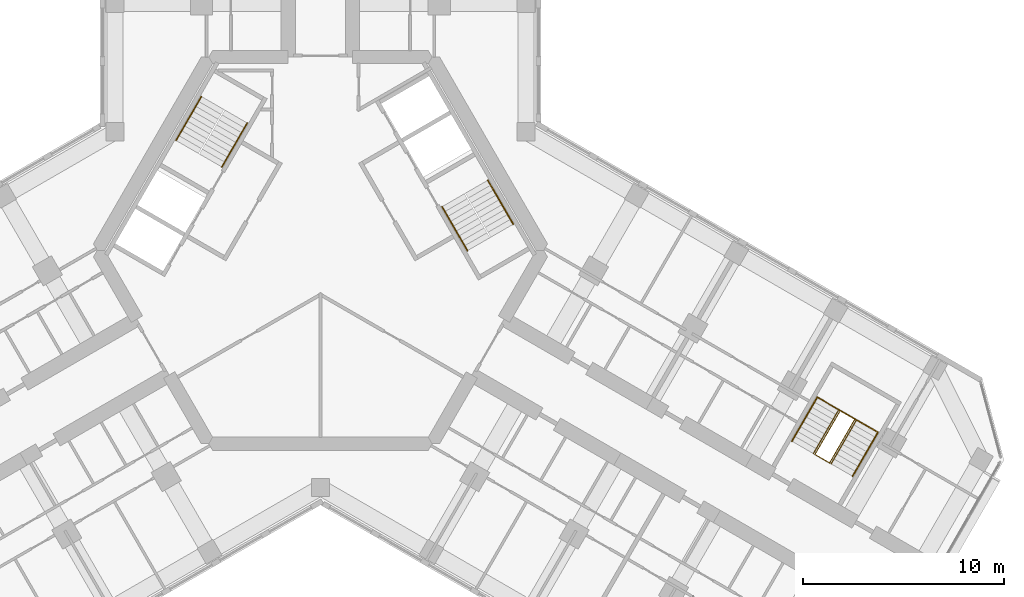
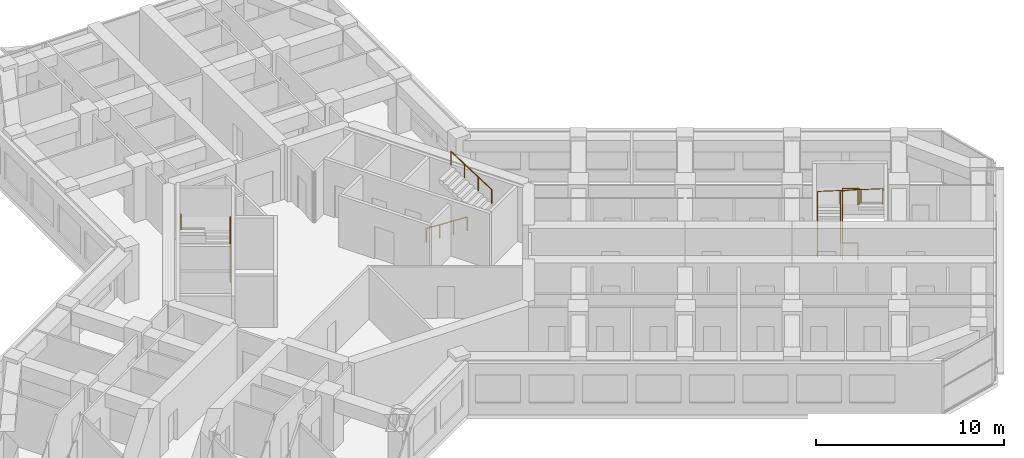
# One storey, part 16 of 16: 7 railings.
"""IFC4 building model written with IfcOpenShell, lengths in metres."""

import ifcopenshell
import ifcopenshell.guid

model = None  # the IFC model being written
_history = None  # IfcOwnerHistory: only IFC2X3 demands one
_inside = {}  # id of a spatial element -> (the spatial element, [elements in it])
_under = {}  # id of a project, library or spatial element -> (it, [spatial elements below it])
_declared = {}  # id of a project -> (the project, [libraries it declares])
_typed = {}  # id of a type object -> (the type object, [elements of that type])
_made_of = {}  # id of a material, layer set ... -> (it, [elements and type objects made of it])


def new_model(schema):
    """Start an empty IFC model of exactly this schema.

    Asked for "IFC4X3", IfcOpenShell would pick the latest addendum, in which some entities
    have other attributes; the version numbers below select the first issue.
    IFC2X3 requires an IfcOwnerHistory on every rooted entity: one is made here for all.
    """
    global model, _history
    if schema == "IFC4X3":
        model = ifcopenshell.file(schema_version=(4, 3, 0, 0))
    else:
        model = ifcopenshell.file(schema=schema)
    _inside.clear()
    _under.clear()
    _declared.clear()
    _typed.clear()
    _made_of.clear()
    _history = None
    if model.schema == "IFC2X3":
        org = make("IfcOrganization", Name="unknown")
        user = make(
            "IfcPersonAndOrganization",
            ThePerson=make("IfcPerson", FamilyName="unknown"),
            TheOrganization=org,
        )
        app = make(
            "IfcApplication",
            ApplicationDeveloper=org,
            Version="unknown",
            ApplicationFullName="unknown",
            ApplicationIdentifier="unknown",
        )
        _history = make(
            "IfcOwnerHistory",
            OwningUser=user,
            OwningApplication=app,
            ChangeAction="ADDED",
            CreationDate=0,
        )
    return model


def make(cls, **values):
    """One entity of the class cls with the attributes given. An attribute that is None is left unset."""
    return model.create_entity(
        cls, **{name: value for name, value in values.items() if value is not None}
    )


def rooted(cls, **values):
    """An entity with a GlobalId (a new one), such as an element, a storey or a relation."""
    return make(cls, GlobalId=ifcopenshell.guid.new(), OwnerHistory=_history, **values)


def si_unit(unit_type, name, prefix=None):
    """IfcSIUnit, for example si_unit("LENGTHUNIT", "METRE", prefix="MILLI")."""
    return make("IfcSIUnit", UnitType=unit_type, Prefix=prefix, Name=name)


def assignment(units):
    """IfcUnitAssignment: the units of a project."""
    return None if units is None else make("IfcUnitAssignment", Units=units)


def point(xyz):
    """IfcCartesianPoint."""
    return None if xyz is None else make("IfcCartesianPoint", Coordinates=xyz)


def direction(xyz):
    """IfcDirection."""
    return None if xyz is None else make("IfcDirection", DirectionRatios=xyz)


def frame(location, z_axis=None, x_axis=None):
    """IfcAxis2Placement3D, a coordinate frame: its origin and axes. An axis left out is left unset."""
    return make(
        "IfcAxis2Placement3D",
        Location=point(location),
        Axis=direction(z_axis),
        RefDirection=direction(x_axis),
    )


def frame_2d(location, x_axis=None):
    """IfcAxis2Placement2D, a coordinate frame in the plane: its origin and x axis."""
    return make(
        "IfcAxis2Placement2D", Location=point(location), RefDirection=direction(x_axis)
    )


def origin():
    """The frame at (0, 0, 0) with its axes left unset."""
    return frame((0.0, 0.0, 0.0))


def origin_2d():
    """The frame at (0, 0) in the plane with its x axis left unset."""
    return frame_2d((0.0, 0.0))


def place(relative_to, where):
    """IfcLocalPlacement: puts the frame where relative to a parent placement (None: the world)."""
    return make(
        "IfcLocalPlacement", PlacementRelTo=relative_to, RelativePlacement=where
    )


def context(
    kind, dimensions, precision=None, world=None, true_north=None, identifier=None
):
    """IfcGeometricRepresentationContext, for example the 3D "Model" context."""
    return make(
        "IfcGeometricRepresentationContext",
        ContextIdentifier=identifier,
        ContextType=kind,
        CoordinateSpaceDimension=dimensions,
        Precision=precision,
        WorldCoordinateSystem=world,
        TrueNorth=true_north,
    )


def subcontext(parent, identifier, kind, view, scale=None):
    """IfcGeometricRepresentationSubContext, for example "Body" below "Model"."""
    return make(
        "IfcGeometricRepresentationSubContext",
        ContextIdentifier=identifier,
        ContextType=kind,
        ParentContext=parent,
        TargetScale=scale,
        TargetView=view,
    )


def project(units=None, contexts=None):
    """IfcProject with its units and contexts."""
    return rooted(
        "IfcProject",
        Name="project",
        RepresentationContexts=contexts,
        UnitsInContext=assignment(units),
    )


def spatial(cls, under=None, at=None, **own):
    """A site, building, storey or space (cls), placed at a placement, below another one or the project."""
    s = rooted(cls, ObjectPlacement=at, **own)
    if under is not None:
        _under.setdefault(under.id(), (under, []))[1].append(s)
    return s


def profile(cls, at=None, kind="AREA", **sizes):
    """A parametric profile (cls). Its sizes go by their IFC names, for example OverallWidth=200.0."""
    return make(cls, ProfileType=kind, Position=at, **sizes)


def circle(**sizes):
    """IfcCircleProfileDef."""
    return profile("IfcCircleProfileDef", **sizes)


def extrude(swept, where, along, depth):
    """IfcExtrudedAreaSolid: the profile swept, set in the frame where, extruded along a direction by depth."""
    return make(
        "IfcExtrudedAreaSolid",
        SweptArea=swept,
        Position=where,
        ExtrudedDirection=direction(along),
        Depth=depth,
    )


def shape(context_of_items, identifier, shape_type, items):
    """IfcShapeRepresentation: the items that make up one representation, for example the "Body"."""
    return make(
        "IfcShapeRepresentation",
        ContextOfItems=context_of_items,
        RepresentationIdentifier=identifier,
        RepresentationType=shape_type,
        Items=items,
    )


def material(Name=None, Category=None):
    """IfcMaterial."""
    return make("IfcMaterial", Name=Name, Category=Category)


def made_of(thing, what):
    """Note that an element or type object is made of a material, layer set ...; save() writes the relation."""
    if what is not None:
        _made_of.setdefault(what.id(), (what, []))[1].append(thing)
    return thing


def type_object(cls, material=None, **own):
    """A type object (cls), such as IfcWallType, which elements share."""
    return made_of(rooted(cls, **own), material)


def element(
    cls,
    number,
    at=None,
    inside=None,
    cuts=None,
    type_object=None,
    material=None,
    context=None,
    identifier="Body",
    shape_type=None,
    held_by="IfcProductDefinitionShape",
    body=None,
    shapes=None,
    **own,
):
    """One element of the class cls, such as IfcWall. Its Tag is "e" and its number.

    at: its placement. inside: the storey or other place that contains it. cuts: it is an
    opening in that element (IfcRelVoidsElement). A single representation is given by context,
    identifier, shape_type and body (its items); several are given by shapes. held_by: the class
    of the entity that holds the representations. save() writes the other relations.
    """
    e = rooted(cls, Tag="e%d" % number, ObjectPlacement=at, **own)
    if body is not None:
        shapes = [shape(context, identifier, shape_type, body)]
    if shapes is not None:
        e.Representation = make(held_by, Representations=shapes)
    if inside is not None:
        _inside.setdefault(inside.id(), (inside, []))[1].append(e)
    if cuts is not None:
        rooted(
            "IfcRelVoidsElement", RelatingBuildingElement=cuts, RelatedOpeningElement=e
        )
    if type_object is not None:
        _typed.setdefault(type_object.id(), (type_object, []))[1].append(e)
    return made_of(e, material)


def aggregate(whole, parts):
    """IfcRelAggregates: a whole, such as a stair, and the parts it consists of."""
    return rooted("IfcRelAggregates", RelatingObject=whole, RelatedObjects=parts)


def save(model, path):
    """Write the relations noted so far, then the file.

    IfcRelAggregates (storeys below a building ...), IfcRelContainedInSpatialStructure (elements
    in a storey), IfcRelDefinesByType, IfcRelAssociatesMaterial and IfcRelDeclares: one each for
    every whole, place, type object, material and project.
    """
    for whole, parts in _under.values():
        aggregate(whole, parts)
    for where, things in _inside.values():
        rooted(
            "IfcRelContainedInSpatialStructure",
            RelatedElements=things,
            RelatingStructure=where,
        )
    for kind, things in _typed.values():
        rooted("IfcRelDefinesByType", RelatedObjects=things, RelatingType=kind)
    for what, things in _made_of.values():
        rooted("IfcRelAssociatesMaterial", RelatedObjects=things, RelatingMaterial=what)
    for by, libraries in _declared.values():
        rooted("IfcRelDeclares", RelatingContext=by, RelatedDefinitions=libraries)
    model.write(path)


model = new_model("IFC4")

# Units and contexts
model_context = context("Model", 3, precision=1e-05, world=origin(), true_north=direction((0.0, 1.0)))
body_context = subcontext(model_context, "Body", "Model", "MODEL_VIEW")
ifc_project = project(units=[si_unit("LENGTHUNIT", "METRE"), si_unit("AREAUNIT", "SQUARE_METRE"), si_unit("VOLUMEUNIT", "CUBIC_METRE"), si_unit("PLANEANGLEUNIT", "RADIAN"), si_unit("MASSUNIT", "GRAM", prefix="KILO")], contexts=[model_context])

# Site, building, storey
site_placement = place(None, origin())
site = spatial("IfcSite", under=ifc_project, at=site_placement, CompositionType="ELEMENT")
building_placement = place(site_placement, origin())
building = spatial("IfcBuilding", under=site, at=building_placement, Name="Kosmar Iwan School Tower", CompositionType="ELEMENT")
storey_placement = place(building_placement, frame((0.0, 0.0, 208.199951171875)))
storey = spatial("IfcBuildingStorey", under=building, at=storey_placement, Name="L52", CompositionType="ELEMENT", Elevation=208.199951171875)

# Railings
ifc_material_1 = material(Name="Black steel", Category="steel")
railing_type_1 = type_object("IfcRailingType", Name="Stair handrail 900", PredefinedType="HANDRAIL", material=ifc_material_1)
railing_1_placement = place(storey_placement, frame((-4.89453125, 4.142333984375, 0.179931640625)))
element("IfcRailing", 1, at=railing_1_placement, inside=storey, type_object=railing_type_1, Name="Handrail ST2 flight 1", PredefinedType="HANDRAIL", context=body_context, shape_type="SweptSolid", body=[
    extrude(circle(Radius=0.02392578125, at=origin_2d()), frame((0.0, 0.0, 0.8759765625), z_axis=(0.420584145978, 0.728463801763, 0.540785970299), x_axis=(-0.866022637375, 0.500004791531, 0.0)), (0.0, 0.0, 1.0), 2.995849609375),
    extrude(circle(Radius=0.02099609375, at=origin_2d()), origin(), (0.0, 0.0, 1.0), 0.851806640625),
    extrude(circle(Radius=0.02099609375, at=origin_2d()), frame((0.419921875, 0.7275390625, 0.5400390625)), (0.0, 0.0, 1.0), 0.851806640625),
    extrude(circle(Radius=0.02099609375, at=origin_2d()), frame((0.840087890625, 1.454833984375, 1.080078125)), (0.0, 0.0, 1.0), 0.851806640625),
    extrude(circle(Radius=0.02099609375, at=origin_2d()), frame((1.260009765625, 2.182373046875, 1.6201171875)), (0.0, 0.0, 1.0), 0.851806640625),
])
railing_2_placement = place(storey_placement, frame((-5.912353515625, 7.6396484375, 1.97998046875)))
element("IfcRailing", 2, at=railing_2_placement, inside=storey, type_object=railing_type_1, Name="Handrail ST2 flight 2", PredefinedType="HANDRAIL", context=body_context, shape_type="SweptSolid", body=[
    extrude(circle(Radius=0.02392578125, at=origin_2d()), frame((0.0, 0.0, 0.8759765625), z_axis=(-0.420584145978, -0.728463801763, 0.540785970299), x_axis=(0.866022637375, -0.500004791531, 0.0)), (0.0, 0.0, 1.0), 2.995849609375),
    extrude(circle(Radius=0.02099609375, at=origin_2d()), origin(), (0.0, 0.0, 1.0), 0.851806640625),
    extrude(circle(Radius=0.02099609375, at=origin_2d()), frame((-0.419921875, -0.7275390625, 0.5400390625)), (0.0, 0.0, 1.0), 0.851806640625),
    extrude(circle(Radius=0.02099609375, at=origin_2d()), frame((-0.840087890625, -1.454833984375, 1.080078125)), (0.0, 0.0, 1.0), 0.851806640625),
    extrude(circle(Radius=0.02099609375, at=origin_2d()), frame((-1.260009765625, -2.182373046875, 1.6201171875)), (0.0, 0.0, 1.0), 0.851806640625),
])
railing_3_placement = place(storey_placement, frame((6.03466796875, 2.167724609375, 0.179931640625)))
element("IfcRailing", 3, at=railing_3_placement, inside=storey, type_object=railing_type_1, Name="Handrail ST1 flight 1", PredefinedType="HANDRAIL", context=body_context, shape_type="SweptSolid", body=[
    extrude(circle(Radius=0.02392578125, at=origin_2d()), frame((0.0, 0.0, 0.8759765625), z_axis=(0.420584145978, -0.728463801763, 0.540785970299), x_axis=(0.866022637375, 0.500004791531, 0.0)), (0.0, 0.0, 1.0), 2.995849609375),
    extrude(circle(Radius=0.02099609375, at=origin_2d()), origin(), (0.0, 0.0, 1.0), 0.851806640625),
    extrude(circle(Radius=0.02099609375, at=origin_2d()), frame((0.419921875, -0.7275390625, 0.5400390625)), (0.0, 0.0, 1.0), 0.851806640625),
    extrude(circle(Radius=0.02099609375, at=origin_2d()), frame((0.840087890625, -1.454833984375, 1.080078125)), (0.0, 0.0, 1.0), 0.851806640625),
    extrude(circle(Radius=0.02099609375, at=origin_2d()), frame((1.260009765625, -2.182373046875, 1.6201171875)), (0.0, 0.0, 1.0), 0.851806640625),
])
railing_4_placement = place(storey_placement, frame((9.572265625, 1.30029296875, 1.97998046875)))
element("IfcRailing", 4, at=railing_4_placement, inside=storey, type_object=railing_type_1, Name="Handrail ST1 flight 2", PredefinedType="HANDRAIL", context=body_context, shape_type="SweptSolid", body=[
    extrude(circle(Radius=0.02392578125, at=origin_2d()), frame((0.0, 0.0, 0.8759765625), z_axis=(-0.420584145978, 0.728463801763, 0.540785970299), x_axis=(-0.866022637375, -0.500004791531, 0.0)), (0.0, 0.0, 1.0), 2.995849609375),
    extrude(circle(Radius=0.02099609375, at=origin_2d()), origin(), (0.0, 0.0, 1.0), 0.851806640625),
    extrude(circle(Radius=0.02099609375, at=origin_2d()), frame((-0.419921875, 0.7275390625, 0.5400390625)), (0.0, 0.0, 1.0), 0.851806640625),
    extrude(circle(Radius=0.02099609375, at=origin_2d()), frame((-0.840087890625, 1.454833984375, 1.080078125)), (0.0, 0.0, 1.0), 0.851806640625),
    extrude(circle(Radius=0.02099609375, at=origin_2d()), frame((-1.260009765625, 2.182373046875, 1.6201171875)), (0.0, 0.0, 1.0), 0.851806640625),
])
railing_5_placement = place(storey_placement, frame((23.4091796875, -9.473876953125, 0.179931640625)))
element("IfcRailing", 5, at=railing_5_placement, inside=storey, type_object=railing_type_1, Name="Handrail stair WS3 L52 wall side", PredefinedType="HANDRAIL", context=body_context, shape_type="SweptSolid", body=[
    extrude(circle(Radius=0.02392578125, at=origin_2d()), frame((0.0, 0.0, 0.8759765625), z_axis=(0.420584145978, 0.728463801763, 0.540785970299), x_axis=(-0.866022637375, 0.500004791531, 0.0)), (0.0, 0.0, 1.0), 2.995849609375),
    extrude(circle(Radius=0.02392578125, at=origin_2d()), frame((1.260009765625, 2.182373046875, 2.49609375), z_axis=(0.864882007433, -0.499312601618, 0.051633701051), x_axis=(0.499979528911, 0.866037222451, 0.0)), (0.0, 0.0, 1.0), 3.48486328125),
    extrude(circle(Radius=0.02392578125, at=origin_2d()), frame((4.27392578125, 0.4423828125, 2.67578125), z_axis=(-0.420584145978, -0.728463801763, 0.540785970299), x_axis=(0.866022637375, -0.500004791531, 0.0)), (0.0, 0.0, 1.0), 2.995849609375),
    extrude(circle(Radius=0.02099609375, at=origin_2d()), origin(), (0.0, 0.0, 1.0), 0.851806640625),
    extrude(circle(Radius=0.02099609375, at=origin_2d()), frame((0.419921875, 0.7275390625, 0.5400390625)), (0.0, 0.0, 1.0), 0.851806640625),
    extrude(circle(Radius=0.02099609375, at=origin_2d()), frame((0.840087890625, 1.454833984375, 1.080078125)), (0.0, 0.0, 1.0), 0.851806640625),
    extrude(circle(Radius=0.02099609375, at=origin_2d()), frame((1.260009765625, 2.182373046875, 1.6201171875)), (0.0, 0.0, 1.0), 0.851806640625),
    extrude(circle(Radius=0.02099609375, at=origin_2d()), frame((2.2646484375, 1.602294921875, 1.68017578125)), (0.0, 0.0, 1.0), 0.851806640625),
    extrude(circle(Radius=0.02099609375, at=origin_2d()), frame((3.269287109375, 1.0224609375, 1.739990234375)), (0.0, 0.0, 1.0), 0.851806640625),
    extrude(circle(Radius=0.02099609375, at=origin_2d()), frame((4.27392578125, 0.4423828125, 1.800048828125)), (0.0, 0.0, 1.0), 0.851806640625),
    extrude(circle(Radius=0.02099609375, at=origin_2d()), frame((3.85400390625, -0.28515625, 2.340087890625)), (0.0, 0.0, 1.0), 0.851806640625),
    extrude(circle(Radius=0.02099609375, at=origin_2d()), frame((3.433837890625, -1.012451171875, 2.880126953125)), (0.0, 0.0, 1.0), 0.851806640625),
    extrude(circle(Radius=0.02099609375, at=origin_2d()), frame((3.013916015625, -1.739990234375, 3.420166015625)), (0.0, 0.0, 1.0), 0.851806640625),
])
railing_6_placement = place(storey_placement, frame((24.474609375, -10.0888671875, 0.179931640625)))
element("IfcRailing", 6, at=railing_6_placement, inside=storey, type_object=railing_type_1, Name="Handrail stair WS3 L52 well side", PredefinedType="HANDRAIL", context=body_context, shape_type="SweptSolid", body=[
    extrude(circle(Radius=0.02392578125, at=origin_2d()), frame((0.0, 0.0, 0.8759765625), z_axis=(0.420584145978, 0.728463801763, 0.540785970299), x_axis=(-0.866022637375, 0.500004791531, 0.0)), (0.0, 0.0, 1.0), 2.995849609375),
    extrude(circle(Radius=0.02392578125, at=origin_2d()), frame((1.260009765625, 2.182373046875, 2.49609375), z_axis=(0.852841519511, -0.492422867401, 0.173726976197), x_axis=(0.500026340207, 0.866010195725, 0.0)), (0.0, 0.0, 1.0), 1.03564453125),
    extrude(circle(Radius=0.02392578125, at=origin_2d()), frame((2.143310546875, 1.67236328125, 2.67578125), z_axis=(-0.420584145978, -0.728463801763, 0.540785970299), x_axis=(0.866022637375, -0.500004791531, 0.0)), (0.0, 0.0, 1.0), 2.995849609375),
    extrude(circle(Radius=0.02099609375, at=origin_2d()), origin(), (0.0, 0.0, 1.0), 0.851806640625),
    extrude(circle(Radius=0.02099609375, at=origin_2d()), frame((0.419921875, 0.7275390625, 0.5400390625)), (0.0, 0.0, 1.0), 0.851806640625),
    extrude(circle(Radius=0.02099609375, at=origin_2d()), frame((0.840087890625, 1.454833984375, 1.080078125)), (0.0, 0.0, 1.0), 0.851806640625),
    extrude(circle(Radius=0.02099609375, at=origin_2d()), frame((1.260009765625, 2.182373046875, 1.6201171875)), (0.0, 0.0, 1.0), 0.851806640625),
    extrude(circle(Radius=0.02099609375, at=origin_2d()), frame((2.143310546875, 1.67236328125, 1.800048828125)), (0.0, 0.0, 1.0), 0.851806640625),
    extrude(circle(Radius=0.02099609375, at=origin_2d()), frame((1.723388671875, 0.94482421875, 2.340087890625)), (0.0, 0.0, 1.0), 0.851806640625),
    extrude(circle(Radius=0.02099609375, at=origin_2d()), frame((1.30322265625, 0.217529296875, 2.880126953125)), (0.0, 0.0, 1.0), 0.851806640625),
    extrude(circle(Radius=0.02099609375, at=origin_2d()), frame((0.88330078125, -0.510009765625, 3.420166015625)), (0.0, 0.0, 1.0), 0.851806640625),
])
ifc_material_2 = material(Name="Black steel", Category="steel")
railing_type_2 = type_object("IfcRailingType", Name="Stair well guard 1100", PredefinedType="GUARDRAIL", material=ifc_material_2)
railing_7_placement = place(storey_placement, frame((25.280029296875, -10.553955078125, 0.0)))
element("IfcRailing", 7, at=railing_7_placement, inside=storey, type_object=railing_type_2, Name="Stair WS3 L52 well guard", PredefinedType="GUARDRAIL", context=body_context, shape_type="SweptSolid", body=[
    extrude(circle(Radius=0.02392578125, at=origin_2d()), frame((0.0, 0.0, 1.076171875), z_axis=(-0.865962960534, 0.500108139288, 0.0), x_axis=(-0.500108139288, -0.865962960534, 0.0)), (0.0, 0.0, 1.0), 0.840087890625),
    extrude(circle(Radius=0.02392578125, at=origin_2d()), frame((-0.7275390625, 0.420166015625, 1.076171875), z_axis=(0.40686665399, 0.704704712268, 0.58124933925), x_axis=(-0.866022637375, 0.500004791531, 0.0)), (0.0, 0.0, 1.0), 3.096923828125),
    extrude(circle(Radius=0.02392578125, at=origin_2d()), frame((0.532470703125, 2.6025390625, 2.8759765625), z_axis=(0.865890253765, -0.500234013672, 0.0), x_axis=(0.500234013672, 0.865890253765, 0.0)), (0.0, 0.0, 1.0), 0.83984375),
    extrude(circle(Radius=0.02392578125, at=origin_2d()), frame((1.259765625, 2.182373046875, 2.8759765625), z_axis=(-0.406800866334, -0.70472731476, 0.58126798207), x_axis=(0.866064587494, -0.499932125682, 0.0)), (0.0, 0.0, 1.0), 3.0966796875),
    extrude(circle(Radius=0.02099609375, at=origin_2d()), origin(), (0.0, 0.0, 1.0), 1.052001953125),
    extrude(circle(Radius=0.02099609375, at=origin_2d()), frame((-0.7275390625, 0.420166015625, 0.0)), (0.0, 0.0, 1.0), 1.052001953125),
    extrude(circle(Radius=0.02099609375, at=origin_2d()), frame((-0.3076171875, 1.147705078125, 0.60009765625)), (0.0, 0.0, 1.0), 1.052001953125),
    extrude(circle(Radius=0.02099609375, at=origin_2d()), frame((0.112548828125, 1.875, 1.199951171875)), (0.0, 0.0, 1.0), 1.052001953125),
    extrude(circle(Radius=0.02099609375, at=origin_2d()), frame((0.532470703125, 2.6025390625, 1.800048828125)), (0.0, 0.0, 1.0), 1.052001953125),
    extrude(circle(Radius=0.02099609375, at=origin_2d()), frame((1.259765625, 2.182373046875, 1.800048828125)), (0.0, 0.0, 1.0), 1.052001953125),
    extrude(circle(Radius=0.02099609375, at=origin_2d()), frame((0.83984375, 1.454833984375, 2.400146484375)), (0.0, 0.0, 1.0), 1.052001953125),
    extrude(circle(Radius=0.02099609375, at=origin_2d()), frame((0.419921875, 0.7275390625, 3.0)), (0.0, 0.0, 1.0), 1.052001953125),
    extrude(circle(Radius=0.02099609375, at=origin_2d()), frame((0.0, 0.0, 3.60009765625)), (0.0, 0.0, 1.0), 1.052001953125),
])

save(model, "model.ifc")
